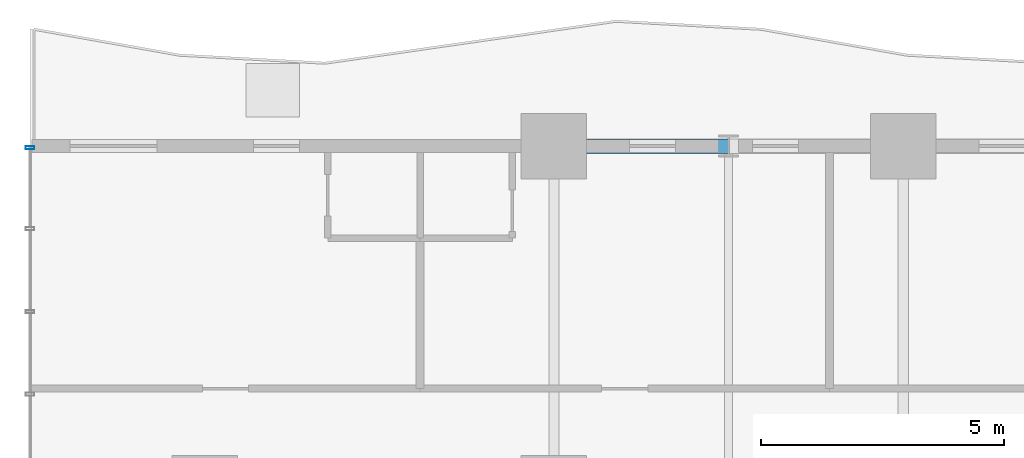
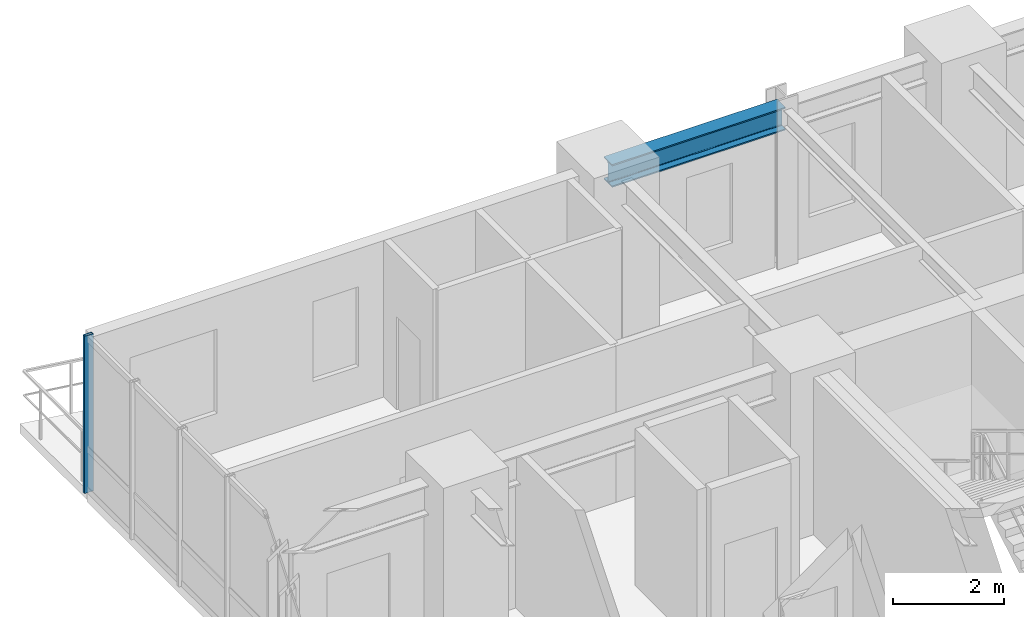
# One storey, part 8 of 19: 1 beam, 1 member, 1 element without a shape of its own.
"""IFC4 building model written with IfcOpenShell, lengths in metres."""

from ifc_helpers import new_model, si_unit, direction, frame, origin, origin_2d, place, context, subcontext, project, spatial, hollow_rectangle, i_section, extrude, source, transform, mapped, material, layer, layer_set, material_profile, profile_set, type_object, element, aggregate, save


model = new_model("IFC4")

# Units and contexts
model_context = context("Model", 3, precision=1e-05, world=origin(), true_north=direction((0.0, 1.0)))
body_context = subcontext(model_context, "Body", "Model", "MODEL_VIEW")
ifc_project = project(units=[si_unit("LENGTHUNIT", "METRE"), si_unit("AREAUNIT", "SQUARE_METRE"), si_unit("VOLUMEUNIT", "CUBIC_METRE"), si_unit("PLANEANGLEUNIT", "RADIAN"), si_unit("MASSUNIT", "GRAM", prefix="KILO")], contexts=[model_context])

# Site, building, storey
site_placement = place(None, origin())
site = spatial("IfcSite", under=ifc_project, at=site_placement, CompositionType="ELEMENT")
building_placement = place(site_placement, origin())
building = spatial("IfcBuilding", under=site, at=building_placement, Name="Kaliganga Portal Commons", CompositionType="ELEMENT")
storey_placement = place(building_placement, frame((0.0, 0.0, 47.5)))
storey = spatial("IfcBuildingStorey", under=building, at=storey_placement, Name="L11", CompositionType="ELEMENT", Elevation=47.5)

# Beam
ifc_material_1 = material(Name="Structural steel S355J2", Category="steel")
ifc_material_profile_1 = material_profile(ifc_material_1, i_section(OverallWidth=0.300048828125, OverallDepth=0.5, WebThickness=0.014404296875, FlangeThickness=0.028076171875, FilletRadius=0.027099609375, at=origin_2d()), Name="HE 500 B")
ifc_profile_set_1 = profile_set([ifc_material_profile_1], Name="Structural steel S355J2 wide-flange")
beam_type = type_object("IfcBeamType", Name="BM-SPAND-500", PredefinedType="SPANDREL", material=ifc_profile_set_1)
shared_shape_1 = source(origin(), body_context, "Body", "SweptSolid", [
    extrude(i_section(OverallWidth=0.300048828125, OverallDepth=0.5, WebThickness=0.014404296875, FlangeThickness=0.028076171875, FilletRadius=0.027099609375, at=origin_2d()), origin(), (0.0, 0.0, 1.0), 3.60009765625),
])
beam_placement = place(storey_placement, frame((14.39990234375, 43.199951171875, 3.199951171875), z_axis=(1.0, 0.0, 0.0), x_axis=(0.0, 1.0, 0.0)))
element("IfcBeam", 1, at=beam_placement, inside=storey, type_object=beam_type, Name="BM SP L11 AN 1", PredefinedType="SPANDREL", context=body_context, shape_type="MappedRepresentation", body=[
    mapped(shared_shape_1, transform((0.0, 0.0, 0.0), x_axis=(1.0, 0.0, 0.0), y_axis=(0.0, 1.0, 0.0), z_axis=(0.0, 0.0, 1.0), scale=1.0)),
])

# Curtain wall, member
ifc_material_2 = material(Name="Anodized Aluminium and Laminated Low-E Glass", Category="aluminium")
ifc_layer = layer(ifc_material_2, 0.199951171875)
ifc_layer_set = layer_set([ifc_layer], Name="Anodized Aluminium and Laminated Low-E Glass")
curtain_wall_type = type_object("IfcCurtainWallType", Name="CW-SYS-02", PredefinedType="NOTDEFINED", material=ifc_layer_set)
curtain_wall_placement = place(storey_placement, origin())
curtain_wall = element("IfcCurtainWall", 2, at=curtain_wall_placement, inside=storey, type_object=curtain_wall_type, Name="CW 02 L11 P1E03S1", PredefinedType="NOTDEFINED")
ifc_material_3 = material(Name="Dark Bronze Anodized Aluminium", Category="aluminium")
ifc_material_profile_2 = material_profile(ifc_material_3, hollow_rectangle(XDim=0.06494140625, YDim=0.179931640625, WallThickness=0.00390625, at=origin_2d()), Name="ALU MULL 65x180x4")
ifc_profile_set_2 = profile_set([ifc_material_profile_2], Name="Dark Bronze Anodized Aluminium")
member_type = type_object("IfcMemberType", Name="CW-MUL-180", PredefinedType="MULLION", material=ifc_profile_set_2)
shared_shape_2 = source(origin(), body_context, "Body", "SweptSolid", [
    extrude(hollow_rectangle(XDim=0.06494140625, YDim=0.179931640625, WallThickness=0.00390625, at=origin_2d()), origin(), (0.0, 0.0, 1.0), 3.449951171875),
])
member_placement = place(storey_placement, frame((3.60009765625, 43.1650390625, 0.0), z_axis=(0.0, 0.0, 1.0), x_axis=(0.0, -1.0, 0.0)))
member = element("IfcMember", 3, at=member_placement, type_object=member_type, Name="CW:02:L11:P1E03S1 Mullion 00", PredefinedType="MULLION", context=body_context, shape_type="MappedRepresentation", body=[
    mapped(shared_shape_2, transform((0.0, 0.0, 0.0), x_axis=(1.0, 0.0, 0.0), y_axis=(0.0, 1.0, 0.0), z_axis=(0.0, 0.0, 1.0), scale=1.0)),
])
aggregate(curtain_wall, [member])

save(model, "model.ifc")
